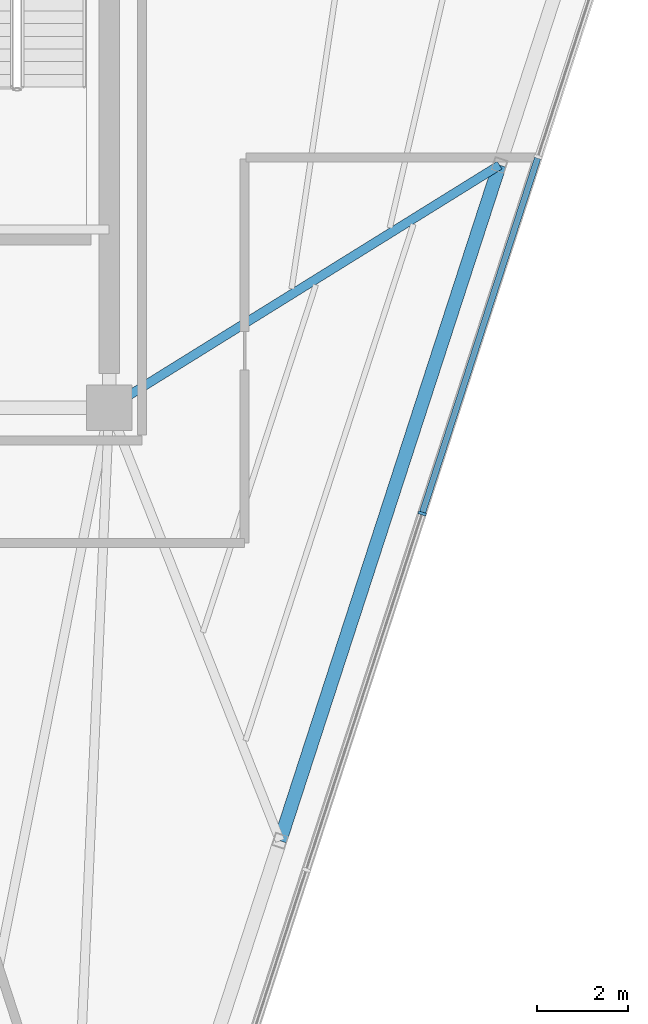
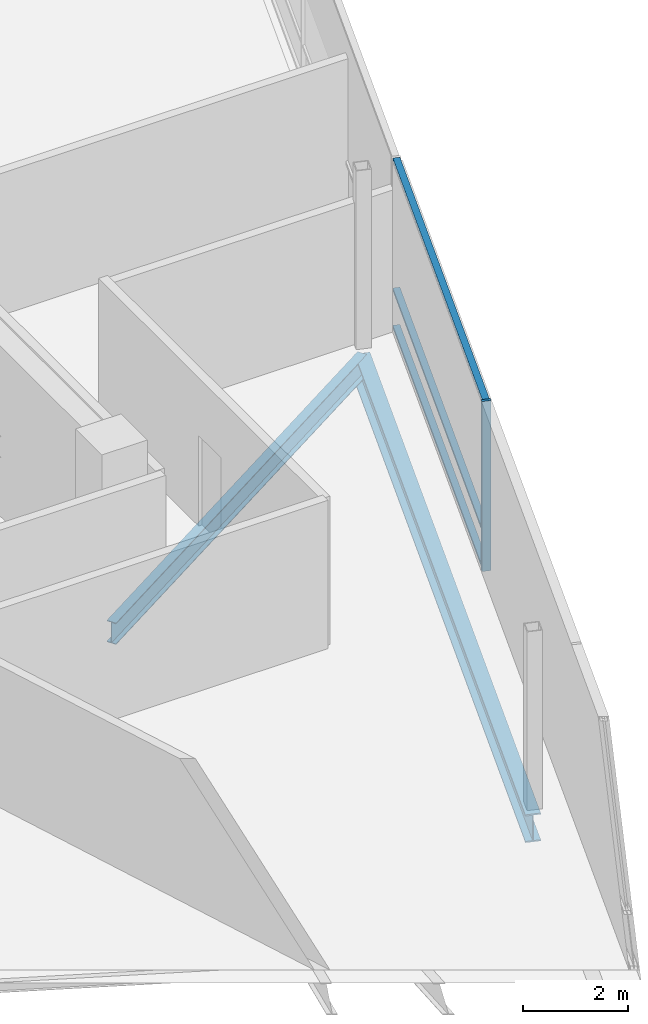
# One storey, part 6 of 16: 4 members, 2 beams, 1 element without a shape of its own.
"""IFC4 building model written with IfcOpenShell, lengths in metres."""

from ifc_helpers import new_model, si_unit, direction, frame, origin, origin_2d, place, context, subcontext, project, spatial, rectangle, i_section, extrude, material, layer, layer_set, material_profile, profile_set, type_object, element, aggregate, save


model = new_model("IFC4")

# Units and contexts
model_context = context("Model", 3, precision=1e-05, world=origin(), true_north=direction((0.0, 1.0)))
body_context = subcontext(model_context, "Body", "Model", "MODEL_VIEW")
ifc_project = project(units=[si_unit("LENGTHUNIT", "METRE"), si_unit("AREAUNIT", "SQUARE_METRE"), si_unit("VOLUMEUNIT", "CUBIC_METRE"), si_unit("PLANEANGLEUNIT", "RADIAN"), si_unit("MASSUNIT", "GRAM", prefix="KILO")], contexts=[model_context])

# Site, building, storey
site_placement = place(None, origin())
site = spatial("IfcSite", under=ifc_project, at=site_placement, CompositionType="ELEMENT")
building_placement = place(site_placement, origin())
building = spatial("IfcBuilding", under=site, at=building_placement, Name="Tharavind Bronze Gate", CompositionType="ELEMENT")
storey_placement = place(building_placement, frame((0.0, 0.0, 302.14990234375)))
storey = spatial("IfcBuildingStorey", under=building, at=storey_placement, Name="L78", CompositionType="ELEMENT", Elevation=302.14990234375)

# Curtain wall, members
ifc_material_1 = material(Name="Anodised Bronze Aluminium", Category="aluminium")
ifc_layer = layer(ifc_material_1, 0.219970703125)
ifc_layer_set = layer_set([ifc_layer], Name="Anodised Bronze Aluminium")
curtain_wall_type = type_object("IfcCurtainWallType", Name="UNITISED CURTAIN WALL CROWN", PredefinedType="USERDEFINED", material=ifc_layer_set)
curtain_wall_placement = place(storey_placement, origin())
curtain_wall = element("IfcCurtainWall", 1, at=curtain_wall_placement, inside=storey, type_object=curtain_wall_type, Name="L78 unitised curtain wall crown CW-L78-S2", ObjectType="UNITISED CURTAIN WALL", PredefinedType="USERDEFINED")
member_type_1 = type_object("IfcMemberType", Name="CURTAIN WALL BRONZE MULLION 65X180", PredefinedType="MULLION", material=ifc_material_1)
member_1_placement = place(storey_placement, frame((15.78759765625, -9.9296875, 0.0), z_axis=(0.0, 0.0, 1.0), x_axis=(0.309016994375, 0.951056516295, 0.0)))
member_1 = element("IfcMember", 2, at=member_1_placement, type_object=member_type_1, Name="CW-L78-S2 mullion 4", PredefinedType="MULLION", context=body_context, shape_type="SweptSolid", body=[
    extrude(rectangle(XDim=0.06494140625, YDim=0.179931640625, at=origin_2d()), origin(), (0.0, 0.0, 1.0), 3.949951171875),
])
member_type_2 = type_object("IfcMemberType", Name="CURTAIN WALL BRONZE TRANSOM 65X140", PredefinedType="USERDEFINED", material=ifc_material_1)
member_2_placement = place(storey_placement, frame((17.06201171875, -6.007568359375, 0.000244140625), z_axis=(0.0, 0.0, 1.0), x_axis=(0.309016994375, 0.951056516295, 0.0)))
member_2 = element("IfcMember", 3, at=member_2_placement, type_object=member_type_2, Name="CW-L78-S2 transom TB4", ObjectType="TRANSOM", PredefinedType="USERDEFINED", context=body_context, shape_type="SweptSolid", body=[
    extrude(rectangle(XDim=8.195068359375, YDim=0.139892578125, at=origin_2d()), origin(), (0.0, 0.0, 1.0), 0.06494140625),
])
member_3_placement = place(storey_placement, frame((17.06201171875, -6.007568359375, 0.86767578125), z_axis=(0.0, 0.0, 1.0), x_axis=(0.309016994375, 0.951056516295, 0.0)))
member_3 = element("IfcMember", 4, at=member_3_placement, type_object=member_type_2, Name="CW-L78-S2 transom TS4", ObjectType="TRANSOM", PredefinedType="USERDEFINED", context=body_context, shape_type="SweptSolid", body=[
    extrude(rectangle(XDim=8.195068359375, YDim=0.139892578125, at=origin_2d()), origin(), (0.0, 0.0, 1.0), 0.06494140625),
])
member_4_placement = place(storey_placement, frame((17.06201171875, -6.007568359375, 3.885009765625), z_axis=(0.0, 0.0, 1.0), x_axis=(0.309016994375, 0.951056516295, 0.0)))
member_4 = element("IfcMember", 5, at=member_4_placement, type_object=member_type_2, Name="CW-L78-S2 transom TT4", ObjectType="TRANSOM", PredefinedType="USERDEFINED", context=body_context, shape_type="SweptSolid", body=[
    extrude(rectangle(XDim=8.195068359375, YDim=0.139892578125, at=origin_2d()), origin(), (0.0, 0.0, 1.0), 0.06494140625),
])
aggregate(curtain_wall, [member_1, member_2, member_3, member_4])

# Beams
ifc_material_2 = material(Name="Steel S355", Category="steel")
ifc_material_profile_1 = material_profile(ifc_material_2, i_section(OverallWidth=0.300048828125, OverallDepth=0.64990234375, WebThickness=0.01611328125, FlangeThickness=0.031005859375, at=origin_2d()), Name="HE650B")
ifc_profile_set_1 = profile_set([ifc_material_profile_1], Name="Steel S355")
beam_type_1 = type_object("IfcBeamType", Name="PRIMARY GIRDER HE650B", PredefinedType="USERDEFINED", material=ifc_profile_set_1)
beam_1_placement = place(storey_placement, frame((12.6591796875, -17.130615234375, -0.52490234375), z_axis=(0.30902108499, 0.951055187164, 0.0), x_axis=(-0.951055187164, 0.30902108499, 0.0)))
element("IfcBeam", 6, at=beam_1_placement, inside=storey, type_object=beam_type_1, Name="L78 primary girder he650b BM-L78-PRG06", ObjectType="GIRDER", PredefinedType="USERDEFINED", context=body_context, shape_type="SweptSolid", body=[
    extrude(i_section(OverallWidth=0.300048828125, OverallDepth=0.64990234375, WebThickness=0.01611328125, FlangeThickness=0.031005859375, at=origin_2d()), origin(), (0.0, 0.0, 1.0), 15.63037109375),
])
ifc_material_profile_2 = material_profile(ifc_material_2, i_section(OverallWidth=0.199951171875, OverallDepth=0.5, WebThickness=0.01025390625, FlangeThickness=0.01611328125, at=origin_2d()), Name="IPE500")
ifc_profile_set_2 = profile_set([ifc_material_profile_2], Name="Steel S355")
beam_type_2 = type_object("IfcBeamType", Name="PRIMARY GIRDER IPE500", PredefinedType="USERDEFINED", material=ifc_profile_set_2)
beam_2_placement = place(storey_placement, frame((17.4892578125, -2.265380859375, -0.449951171875), z_axis=(-0.849489786576, -0.527605063, 0.0), x_axis=(0.527605063, -0.849489786576, 0.0)))
element("IfcBeam", 7, at=beam_2_placement, inside=storey, type_object=beam_type_2, Name="L78 primary girder ipe500 BM-L78-RAD07", ObjectType="GIRDER", PredefinedType="USERDEFINED", context=body_context, shape_type="SweptSolid", body=[
    extrude(i_section(OverallWidth=0.199951171875, OverallDepth=0.5, WebThickness=0.01025390625, FlangeThickness=0.01611328125, at=origin_2d()), origin(), (0.0, 0.0, 1.0), 10.111083984375),
])

save(model, "model.ifc")
